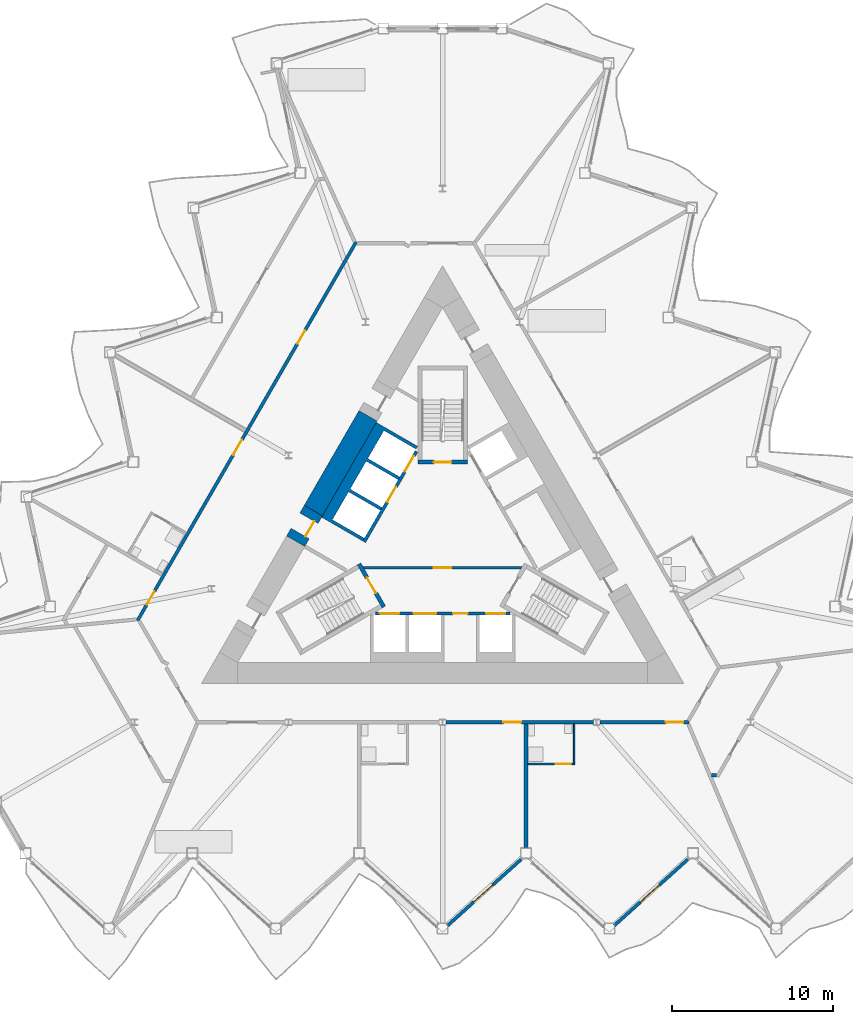
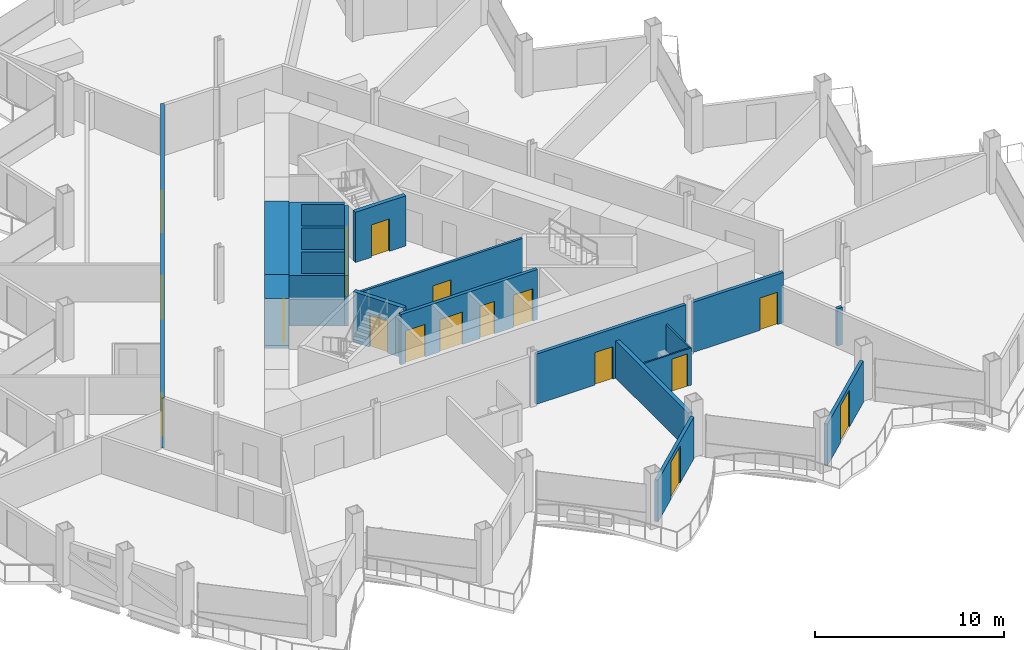
# One storey, part 12 of 23: 18 doors, 17 walls, 18 openings.
"""IFC4 building model written with IfcOpenShell, lengths in metres."""

from ifc_helpers import new_model, si_unit, direction, frame, frame_2d, origin, place, context, subcontext, project, spatial, polyline, rectangle, outline, extrude, material, layer, layer_set, type_object, element, fill, save


model = new_model("IFC4")

# Units and contexts
model_context = context("Model", 3, precision=1e-05, world=origin(), true_north=direction((0.0, 1.0)))
body_context = subcontext(model_context, "Body", "Model", "MODEL_VIEW")
ifc_project = project(units=[si_unit("LENGTHUNIT", "METRE"), si_unit("AREAUNIT", "SQUARE_METRE"), si_unit("VOLUMEUNIT", "CUBIC_METRE"), si_unit("PLANEANGLEUNIT", "RADIAN"), si_unit("MASSUNIT", "GRAM", prefix="KILO")], contexts=[model_context])

# Site, building, storey
site_placement = place(None, origin())
site = spatial("IfcSite", under=ifc_project, at=site_placement, CompositionType="ELEMENT")
building_placement = place(site_placement, origin())
building = spatial("IfcBuilding", under=site, at=building_placement, Name="Cormorant Prow Tower", CompositionType="ELEMENT")
storey_placement = place(building_placement, frame((0.0, 0.0, 263.39990234375)))
storey = spatial("IfcBuildingStorey", under=building, at=storey_placement, Name="L59", CompositionType="ELEMENT", Elevation=263.39990234375)

# Wall, opening, door
ifc_material_1 = material(Name="Gypsum board partition")
ifc_layer_1 = layer(ifc_material_1, 0.14990234375)
ifc_layer_set_1 = layer_set([ifc_layer_1], Name="Gypsum board partition")
wall_type_1 = type_object("IfcWallType", Name="Core partition 150", PredefinedType="PARTITIONING", material=ifc_layer_set_1)
wall_1_placement = place(storey_placement, frame((-4.941162109375, -1.449951171875, 0.0), z_axis=(0.0, 0.0, 1.0), x_axis=(1.0, 0.0, 0.0)))
wall_1 = element("IfcWall", 1, at=wall_1_placement, inside=storey, type_object=wall_type_1, Name="Firefighting lobby partition", PredefinedType="PARTITIONING", context=body_context, shape_type="SweptSolid", body=[
    extrude(rectangle(XDim=9.88232421875, YDim=0.14990234375, at=frame_2d((4.941162109375, 0.0))), origin(), (0.0, 0.0, 1.0), 3.25),
])
opening_1_placement = place(wall_1_placement, frame((4.39111328125, 0.0, 0.0)))
opening_1 = element("IfcOpeningElement", 2, at=opening_1_placement, cuts=wall_1, Name="Opening L59-C10", PredefinedType="OPENING", context=body_context, shape_type="SweptSolid", body=[
    extrude(rectangle(XDim=1.10009765625, YDim=2.10009765625, at=frame_2d((0.550048828125, 1.050048828125))), frame((0.0, 0.0849609375, 0.0), z_axis=(0.0, -1.0, 0.0), x_axis=(1.0, 0.0, 0.0)), (0.0, 0.0, 1.0), 0.169921875),
])
ifc_material_2 = material(Name="Painted steel", Category="steel")
door_type_1 = type_object("IfcDoorType", Name="Firefighting lobby door 1100x2100", OperationType="NOTDEFINED", PredefinedType="DOOR", material=ifc_material_2)
door_1_placement = place(opening_1_placement, origin())
door_1 = element("IfcDoor", 3, at=door_1_placement, inside=storey, type_object=door_type_1, Name="Firefighting lobby door", OperationType="SINGLE_SWING_LEFT", OverallHeight=2.10009765625, OverallWidth=1.10009765625, PredefinedType="DOOR", context=body_context, shape_type="SweptSolid", body=[
    extrude(rectangle(XDim=1.10009765625, YDim=2.10009765625, at=frame_2d((0.550048828125, 1.050048828125))), frame((0.0, 0.02490234375, 0.0), z_axis=(0.0, -1.0, 0.0), x_axis=(1.0, 0.0, 0.0)), (0.0, 0.0, 1.0), 0.050048828125),
])
fill(opening_1, door_1)

# Wall
ifc_material_3 = material(Name="Concrete 8000 psi", Category="concrete")
ifc_layer_2 = layer(ifc_material_3, 1.300048828125)
ifc_layer_set_2 = layer_set([ifc_layer_2], Name="Concrete 8000 psi")
wall_type_2 = type_object("IfcWallType", Name="Core shear wall 1300", PredefinedType="SHEAR", material=ifc_layer_set_2)
wall_2_placement = place(storey_placement, frame((-4.63623046875, 7.989990234375, 0.0), z_axis=(0.0, 0.0, 1.0), x_axis=(-0.500022813292, -0.866012232124, 0.0)))
element("IfcWall", 4, at=wall_2_placement, inside=storey, type_object=wall_type_2, Name="Core wall", PredefinedType="SHEAR", context=body_context, shape_type="SweptSolid", body=[
    extrude(rectangle(XDim=6.801513671875, YDim=1.300048828125, at=frame_2d((3.40087890625, 0.0))), origin(), (0.0, 0.0, 1.0), 3.25),
])

# Wall, opening, door
wall_3_placement = place(storey_placement, frame((-8.037109375, 2.099853515625, 0.0), z_axis=(0.0, 0.0, 1.0), x_axis=(-0.50002983664, -0.866008176907, 0.0)))
wall_3 = element("IfcWall", 5, at=wall_3_placement, inside=storey, type_object=wall_type_2, Name="Core wall door panel", PredefinedType="SHEAR", context=body_context, shape_type="SweptSolid", body=[
    extrude(rectangle(XDim=2.199951171875, YDim=1.300048828125, at=frame_2d((1.10009765625, 0.0))), origin(), (0.0, 0.0, 1.0), 3.25),
])
opening_2_placement = place(wall_3_placement, frame((0.550048828125, 0.0, 0.0)))
opening_2 = element("IfcOpeningElement", 6, at=opening_2_placement, cuts=wall_3, Name="Opening L59-C18", PredefinedType="OPENING", context=body_context, shape_type="SweptSolid", body=[
    extrude(rectangle(XDim=1.10009765625, YDim=2.10009765625, at=frame_2d((0.550048828125, 1.050048828125))), frame((0.0, 0.659912109375, 0.0), z_axis=(0.0, -1.0, 0.0), x_axis=(1.0, 0.0, 0.0)), (0.0, 0.0, 1.0), 1.320068359375),
])
ifc_material_4 = material(Name="Painted steel", Category="steel")
door_type_2 = type_object("IfcDoorType", Name="Core door 1100x2100", OperationType="NOTDEFINED", PredefinedType="DOOR", material=ifc_material_4)
door_2_placement = place(opening_2_placement, origin())
door_2 = element("IfcDoor", 7, at=door_2_placement, inside=storey, type_object=door_type_2, Name="Core door, lift lobby", OperationType="SINGLE_SWING_RIGHT", OverallHeight=2.10009765625, OverallWidth=1.10009765625, PredefinedType="DOOR", context=body_context, shape_type="SweptSolid", body=[
    extrude(rectangle(XDim=1.10009765625, YDim=2.10009765625, at=frame_2d((0.550048828125, 1.050048828125))), frame((0.0, 0.40478515625, 0.0), z_axis=(0.0, -1.0, 0.0), x_axis=(1.0, 0.0, 0.0)), (0.0, 0.0, 1.0), 0.050048828125),
])
fill(opening_2, door_2)

# Wall, openings, doors
ifc_material_5 = material(Name="Gypsum board corridor wall")
ifc_layer_3 = layer(ifc_material_5, 0.199951171875)
ifc_layer_set_3 = layer_set([ifc_layer_3], Name="Gypsum board corridor wall")
wall_type_3 = type_object("IfcWallType", Name="Corridor wall 200", PredefinedType="PARTITIONING", material=ifc_layer_set_3)
wall_4_placement = place(storey_placement, frame((-18.97607421875, -4.746826171875, 0.0), z_axis=(0.0, 0.0, 1.0), x_axis=(0.499999852422, 0.866025488988, 0.0)))
wall_4 = element("IfcWall", 8, at=wall_4_placement, inside=storey, type_object=wall_type_3, Name="Corridor wall", PredefinedType="PARTITIONING", context=body_context, shape_type="SweptSolid", body=[
    extrude(rectangle(XDim=27.19775390625, YDim=0.199951171875, at=frame_2d((13.598876953125, 0.0))), origin(), (0.0, 0.0, 1.0), 3.25),
])
opening_3_placement = place(wall_4_placement, frame((19.886474609375, 0.0, 0.0)))
opening_3 = element("IfcOpeningElement", 9, at=opening_3_placement, cuts=wall_4, Name="Opening L59-F14", PredefinedType="OPENING", context=body_context, shape_type="SweptSolid", body=[
    extrude(rectangle(XDim=0.949951171875, YDim=2.10009765625, at=frame_2d((0.47509765625, 1.050048828125))), frame((0.0, 0.10986328125, 0.0), z_axis=(0.0, -1.0, 0.0), x_axis=(1.0, 0.0, 0.0)), (0.0, 0.0, 1.0), 0.219970703125),
])
opening_4_placement = place(wall_4_placement, frame((11.89453125, 0.0, 0.0)))
opening_4 = element("IfcOpeningElement", 10, at=opening_4_placement, cuts=wall_4, Name="Opening L59-F16", PredefinedType="OPENING", context=body_context, shape_type="SweptSolid", body=[
    extrude(rectangle(XDim=1.10009765625, YDim=2.10009765625, at=frame_2d((0.550048828125, 1.050048828125))), frame((0.0, 0.10986328125, 0.0), z_axis=(0.0, -1.0, 0.0), x_axis=(1.0, 0.0, 0.0)), (0.0, 0.0, 1.0), 0.219970703125),
])
opening_5_placement = place(wall_4_placement, frame((1.151611328125, 0.0, 0.0)))
opening_5 = element("IfcOpeningElement", 11, at=opening_5_placement, cuts=wall_4, Name="Opening L59-F18", PredefinedType="OPENING", context=body_context, shape_type="SweptSolid", body=[
    extrude(rectangle(XDim=0.949951171875, YDim=2.10009765625, at=frame_2d((0.47509765625, 1.050048828125))), frame((0.0, 0.10986328125, 0.0), z_axis=(0.0, -1.0, 0.0), x_axis=(1.0, 0.0, 0.0)), (0.0, 0.0, 1.0), 0.219970703125),
])
ifc_material_6 = material(Name="Timber door leaf", Category="wood")
door_type_3 = type_object("IfcDoorType", Name="Store door 950x2100", OperationType="NOTDEFINED", PredefinedType="DOOR", material=ifc_material_6)
door_3_placement = place(opening_3_placement, origin())
door_3 = element("IfcDoor", 12, at=door_3_placement, inside=storey, type_object=door_type_3, Name="Housekeeping room door", OperationType="SINGLE_SWING_LEFT", OverallHeight=2.10009765625, OverallWidth=0.949951171875, PredefinedType="DOOR", context=body_context, shape_type="SweptSolid", body=[
    extrude(rectangle(XDim=0.949951171875, YDim=2.10009765625, at=frame_2d((0.47509765625, 1.050048828125))), frame((0.0, 0.02490234375, 0.0), z_axis=(0.0, -1.0, 0.0), x_axis=(1.0, 0.0, 0.0)), (0.0, 0.0, 1.0), 0.050048828125),
])
fill(opening_3, door_3)
door_4_placement = place(opening_5_placement, origin())
door_4 = element("IfcDoor", 13, at=door_4_placement, inside=storey, type_object=door_type_3, Name="Housekeeping room door", OperationType="SINGLE_SWING_RIGHT", OverallHeight=2.10009765625, OverallWidth=0.949951171875, PredefinedType="DOOR", context=body_context, shape_type="SweptSolid", body=[
    extrude(rectangle(XDim=0.949951171875, YDim=2.10009765625, at=frame_2d((0.47509765625, 1.050048828125))), frame((0.0, 0.02490234375, 0.0), z_axis=(0.0, -1.0, 0.0), x_axis=(1.0, 0.0, 0.0)), (0.0, 0.0, 1.0), 0.050048828125),
])
fill(opening_5, door_4)
ifc_material_7 = material(Name="Timber door leaf", Category="wood")
door_type_4 = type_object("IfcDoorType", Name="Suite entrance door 1100x2100", OperationType="NOTDEFINED", PredefinedType="DOOR", material=ifc_material_7)
door_5_placement = place(opening_4_placement, origin())
door_5 = element("IfcDoor", 14, at=door_5_placement, inside=storey, type_object=door_type_4, Name="Junior suite door", OperationType="SINGLE_SWING_RIGHT", OverallHeight=2.10009765625, OverallWidth=1.10009765625, PredefinedType="DOOR", context=body_context, shape_type="SweptSolid", body=[
    extrude(rectangle(XDim=1.10009765625, YDim=2.10009765625, at=frame_2d((0.550048828125, 1.050048828125))), frame((0.0, 0.02490234375, 0.0), z_axis=(0.0, -1.0, 0.0), x_axis=(1.0, 0.0, 0.0)), (0.0, 0.0, 1.0), 0.050048828125),
])
fill(opening_4, door_5)

# Wall, opening, door
wall_5_placement = place(storey_placement, frame((0.20947265625, -11.060302734375, 0.0), z_axis=(0.0, 0.0, 1.0), x_axis=(1.0, 0.0, 0.0)))
wall_5 = element("IfcWall", 15, at=wall_5_placement, inside=storey, type_object=wall_type_3, Name="Corridor wall", PredefinedType="PARTITIONING", context=body_context, shape_type="SweptSolid", body=[
    extrude(rectangle(XDim=9.159423828125, YDim=0.199951171875, at=frame_2d((4.57958984375, 0.0))), origin(), (0.0, 0.0, 1.0), 3.25),
])
opening_6_placement = place(wall_5_placement, frame((3.576171875, 0.0, 0.0)))
opening_6 = element("IfcOpeningElement", 16, at=opening_6_placement, cuts=wall_5, Name="Opening L59-F02", PredefinedType="OPENING", context=body_context, shape_type="SweptSolid", body=[
    extrude(rectangle(XDim=1.10009765625, YDim=2.10009765625, at=frame_2d((0.550048828125, 1.050048828125))), frame((0.0, 0.10986328125, 0.0), z_axis=(0.0, -1.0, 0.0), x_axis=(1.0, 0.0, 0.0)), (0.0, 0.0, 1.0), 0.219970703125),
])
door_6_placement = place(opening_6_placement, origin())
door_6 = element("IfcDoor", 17, at=door_6_placement, inside=storey, type_object=door_type_4, Name="Junior suite door", OperationType="SINGLE_SWING_RIGHT", OverallHeight=2.10009765625, OverallWidth=1.10009765625, PredefinedType="DOOR", context=body_context, shape_type="SweptSolid", body=[
    extrude(rectangle(XDim=1.10009765625, YDim=2.10009765625, at=frame_2d((0.550048828125, 1.050048828125))), frame((0.0, 0.02490234375, 0.0), z_axis=(0.0, -1.0, 0.0), x_axis=(1.0, 0.0, 0.0)), (0.0, 0.0, 1.0), 0.050048828125),
])
fill(opening_6, door_6)

wall_6_placement = place(storey_placement, frame((9.7880859375, -11.060302734375, 0.0), z_axis=(0.0, 0.0, 1.0), x_axis=(1.0, 0.0, 0.0)))
wall_6 = element("IfcWall", 18, at=wall_6_placement, inside=storey, type_object=wall_type_3, Name="Corridor wall", PredefinedType="PARTITIONING", context=body_context, shape_type="SweptSolid", body=[
    extrude(rectangle(XDim=5.542724609375, YDim=0.199951171875, at=frame_2d((2.771484375, 0.0))), origin(), (0.0, 0.0, 1.0), 3.25),
])
opening_7_placement = place(wall_6_placement, frame((4.091796875, 0.0, 0.0)))
opening_7 = element("IfcOpeningElement", 19, at=opening_7_placement, cuts=wall_6, Name="Opening L59-F04", PredefinedType="OPENING", context=body_context, shape_type="SweptSolid", body=[
    extrude(rectangle(XDim=1.10009765625, YDim=2.10009765625, at=frame_2d((0.550048828125, 1.050048828125))), frame((0.0, 0.10986328125, 0.0), z_axis=(0.0, -1.0, 0.0), x_axis=(1.0, 0.0, 0.0)), (0.0, 0.0, 1.0), 0.219970703125),
])
door_7_placement = place(opening_7_placement, origin())
door_7 = element("IfcDoor", 20, at=door_7_placement, inside=storey, type_object=door_type_4, Name="Executive suite bedroom door", OperationType="SINGLE_SWING_RIGHT", OverallHeight=2.10009765625, OverallWidth=1.10009765625, PredefinedType="DOOR", context=body_context, shape_type="SweptSolid", body=[
    extrude(rectangle(XDim=1.10009765625, YDim=2.10009765625, at=frame_2d((0.550048828125, 1.050048828125))), frame((0.0, 0.02490234375, 0.0), z_axis=(0.0, -1.0, 0.0), x_axis=(1.0, 0.0, 0.0)), (0.0, 0.0, 1.0), 0.050048828125),
])
fill(opening_7, door_7)

# Wall
ifc_material_8 = material(Name="Gypsum board demising wall")
ifc_layer_4 = layer(ifc_material_8, 0.199951171875)
ifc_layer_set_4 = layer_set([ifc_layer_4], Name="Gypsum board demising wall")
wall_type_4 = type_object("IfcWallType", Name="Demising wall 200", PredefinedType="PARTITIONING", material=ifc_layer_set_4)
wall_7_placement = place(storey_placement, frame((16.715087890625, -14.3603515625, 0.0), z_axis=(0.0, 0.0, 1.0), x_axis=(1.0, 0.0, 0.0)))
element("IfcWall", 21, at=wall_7_placement, inside=storey, type_object=wall_type_4, Name="Demising wall", PredefinedType="PARTITIONING", context=body_context, shape_type="SweptSolid", body=[
    extrude(rectangle(XDim=0.321044921875, YDim=0.199951171875, at=frame_2d((0.16064453125, 0.0))), origin(), (0.0, 0.0, 1.0), 2.404296875),
])

# Wall, opening, door
ifc_material_9 = material(Name="Gypsum board partition")
ifc_layer_5 = layer(ifc_material_9, 0.10009765625)
ifc_layer_set_5 = layer_set([ifc_layer_5], Name="Gypsum board partition")
wall_type_5 = type_object("IfcWallType", Name="Internal partition 100", PredefinedType="PARTITIONING", material=ifc_layer_set_5)
wall_8_placement = place(storey_placement, frame((5.3076171875, -13.660400390625, 0.0), z_axis=(0.0, 0.0, 1.0), x_axis=(1.0, 0.0, 0.0)))
wall_8 = element("IfcWall", 22, at=wall_8_placement, inside=storey, type_object=wall_type_5, Name="Internal partition", PredefinedType="PARTITIONING", context=body_context, shape_type="SweptSolid", body=[
    extrude(rectangle(XDim=2.925048828125, YDim=0.10009765625, at=frame_2d((1.46240234375, 0.0))), origin(), (0.0, 0.0, 1.0), 2.404296875),
])
opening_8_placement = place(wall_8_placement, frame((1.72509765625, 0.0, 0.0)))
opening_8 = element("IfcOpeningElement", 23, at=opening_8_placement, cuts=wall_8, Name="Opening L59-F05", PredefinedType="OPENING", context=body_context, shape_type="SweptSolid", body=[
    extrude(rectangle(XDim=0.949951171875, YDim=2.10009765625, at=frame_2d((0.47509765625, 1.050048828125))), frame((0.0, 0.06005859375, 0.0), z_axis=(0.0, -1.0, 0.0), x_axis=(1.0, 0.0, 0.0)), (0.0, 0.0, 1.0), 0.1201171875),
])
ifc_material_10 = material(Name="Timber door leaf", Category="wood")
door_type_5 = type_object("IfcDoorType", Name="Bathroom door 950x2100", OperationType="NOTDEFINED", PredefinedType="DOOR", material=ifc_material_10)
door_8_placement = place(opening_8_placement, origin())
door_8 = element("IfcDoor", 24, at=door_8_placement, inside=storey, type_object=door_type_5, Name="Executive suite bedroom door", OperationType="SINGLE_SWING_RIGHT", OverallHeight=2.10009765625, OverallWidth=0.949951171875, PredefinedType="DOOR", context=body_context, shape_type="SweptSolid", body=[
    extrude(rectangle(XDim=0.949951171875, YDim=2.10009765625, at=frame_2d((0.47509765625, 1.050048828125))), frame((0.0, 0.02490234375, 0.0), z_axis=(0.0, -1.0, 0.0), x_axis=(1.0, 0.0, 0.0)), (0.0, 0.0, 1.0), 0.050048828125),
])
fill(opening_8, door_8)

# Wall
wall_9_placement = place(storey_placement, frame((8.1826171875, -13.6103515625, 0.0), z_axis=(0.0, 0.0, 1.0), x_axis=(0.0, 1.0, 0.0)))
element("IfcWall", 25, at=wall_9_placement, inside=storey, type_object=wall_type_5, Name="Internal partition", PredefinedType="PARTITIONING", context=body_context, shape_type="SweptSolid", body=[
    extrude(rectangle(XDim=2.449951171875, YDim=0.10009765625, at=frame_2d((1.22509765625, 0.0))), origin(), (0.0, 0.0, 1.0), 2.404296875),
])

# Wall, openings, doors
ifc_material_11 = material(Name="Concrete 5000 psi", Category="concrete")
ifc_layer_6 = layer(ifc_material_11, 0.199951171875)
ifc_layer_set_6 = layer_set([ifc_layer_6], Name="Concrete 5000 psi")
wall_type_6 = type_object("IfcWallType", Name="Lift lobby wall 200", PredefinedType="SOLIDWALL", material=ifc_layer_set_6)
wall_10_placement = place(storey_placement, frame((-4.1865234375, -4.300048828125, 0.0), z_axis=(0.0, 0.0, 1.0), x_axis=(1.0, 0.0, 0.0)))
wall_10 = element("IfcWall", 26, at=wall_10_placement, inside=storey, type_object=wall_type_6, Name="Lift lobby wall, S block", PredefinedType="SOLIDWALL", context=body_context, shape_type="SweptSolid", body=[
    extrude(rectangle(XDim=8.373046875, YDim=0.199951171875, at=frame_2d((4.1865234375, 0.0))), origin(), (0.0, 0.0, 1.0), 3.25),
])
opening_9_placement = place(wall_10_placement, frame((0.28662109375, 0.0, 0.0)))
opening_9 = element("IfcOpeningElement", 27, at=opening_9_placement, cuts=wall_10, Name="Opening L59-C01", PredefinedType="OPENING", context=body_context, shape_type="SweptSolid", body=[
    extrude(rectangle(XDim=1.199951171875, YDim=2.10009765625, at=frame_2d((0.60009765625, 1.050048828125))), frame((0.0, 0.10986328125, 0.0), z_axis=(0.0, -1.0, 0.0), x_axis=(1.0, 0.0, 0.0)), (0.0, 0.0, 1.0), 0.219970703125),
])
opening_10_placement = place(wall_10_placement, frame((2.38671875, 0.0, 0.0)))
opening_10 = element("IfcOpeningElement", 28, at=opening_10_placement, cuts=wall_10, Name="Opening L59-C02", PredefinedType="OPENING", context=body_context, shape_type="SweptSolid", body=[
    extrude(rectangle(XDim=1.39990234375, YDim=2.10009765625, at=frame_2d((0.699951171875, 1.050048828125))), frame((0.0, 0.10986328125, 0.0), z_axis=(0.0, -1.0, 0.0), x_axis=(1.0, 0.0, 0.0)), (0.0, 0.0, 1.0), 0.219970703125),
])
opening_11_placement = place(wall_10_placement, frame((4.836669921875, 0.0, 0.0)))
opening_11 = element("IfcOpeningElement", 29, at=opening_11_placement, cuts=wall_10, Name="Opening L59-C03", PredefinedType="OPENING", context=body_context, shape_type="SweptSolid", body=[
    extrude(rectangle(XDim=0.89990234375, YDim=2.10009765625, at=frame_2d((0.449951171875, 1.050048828125))), frame((0.0, 0.10986328125, 0.0), z_axis=(0.0, -1.0, 0.0), x_axis=(1.0, 0.0, 0.0)), (0.0, 0.0, 1.0), 0.219970703125),
])
opening_12_placement = place(wall_10_placement, frame((6.88671875, 0.0, 0.0)))
opening_12 = element("IfcOpeningElement", 30, at=opening_12_placement, cuts=wall_10, Name="Opening L59-C04", PredefinedType="OPENING", context=body_context, shape_type="SweptSolid", body=[
    extrude(rectangle(XDim=1.199951171875, YDim=2.10009765625, at=frame_2d((0.60009765625, 1.050048828125))), frame((0.0, 0.10986328125, 0.0), z_axis=(0.0, -1.0, 0.0), x_axis=(1.0, 0.0, 0.0)), (0.0, 0.0, 1.0), 0.219970703125),
])
ifc_material_12 = material(Name="Painted steel", Category="steel")
door_type_6 = type_object("IfcDoorType", Name="Firefighting lift landing door 1200x2100", OperationType="SLIDING_TO_LEFT", PredefinedType="DOOR", material=ifc_material_12)
door_9_placement = place(opening_9_placement, origin())
door_9 = element("IfcDoor", 31, at=door_9_placement, inside=storey, type_object=door_type_6, Name="Landing door FL1", OperationType="SLIDING_TO_LEFT", OverallHeight=2.10009765625, OverallWidth=1.199951171875, PredefinedType="DOOR", context=body_context, shape_type="SweptSolid", body=[
    extrude(rectangle(XDim=1.199951171875, YDim=2.10009765625, at=frame_2d((0.60009765625, 1.050048828125))), frame((0.0, 0.02490234375, 0.0), z_axis=(0.0, -1.0, 0.0), x_axis=(1.0, 0.0, 0.0)), (0.0, 0.0, 1.0), 0.050048828125),
])
fill(opening_9, door_9)
door_10_placement = place(opening_12_placement, origin())
door_10 = element("IfcDoor", 32, at=door_10_placement, inside=storey, type_object=door_type_6, Name="Landing door FL2", OperationType="SLIDING_TO_LEFT", OverallHeight=2.10009765625, OverallWidth=1.199951171875, PredefinedType="DOOR", context=body_context, shape_type="SweptSolid", body=[
    extrude(rectangle(XDim=1.199951171875, YDim=2.10009765625, at=frame_2d((0.60009765625, 1.050048828125))), frame((0.0, 0.02490234375, 0.0), z_axis=(0.0, -1.0, 0.0), x_axis=(1.0, 0.0, 0.0)), (0.0, 0.0, 1.0), 0.050048828125),
])
fill(opening_12, door_10)
ifc_material_13 = material(Name="Painted steel", Category="steel")
door_type_7 = type_object("IfcDoorType", Name="Service door 900x2100", OperationType="NOTDEFINED", PredefinedType="DOOR", material=ifc_material_13)
door_11_placement = place(opening_11_placement, origin())
door_11 = element("IfcDoor", 33, at=door_11_placement, inside=storey, type_object=door_type_7, Name="Service door, Pantry store", OperationType="SINGLE_SWING_RIGHT", OverallHeight=2.10009765625, OverallWidth=0.89990234375, PredefinedType="DOOR", context=body_context, shape_type="SweptSolid", body=[
    extrude(rectangle(XDim=0.89990234375, YDim=2.10009765625, at=frame_2d((0.449951171875, 1.050048828125))), frame((0.0, 0.02490234375, 0.0), z_axis=(0.0, -1.0, 0.0), x_axis=(1.0, 0.0, 0.0)), (0.0, 0.0, 1.0), 0.050048828125),
])
fill(opening_11, door_11)
ifc_material_14 = material(Name="Painted steel", Category="steel")
door_type_8 = type_object("IfcDoorType", Name="Service lift landing door 1400x2100", OperationType="SLIDING_TO_LEFT", PredefinedType="DOOR", material=ifc_material_14)
door_12_placement = place(opening_10_placement, origin())
door_12 = element("IfcDoor", 34, at=door_12_placement, inside=storey, type_object=door_type_8, Name="Landing door SL1", OperationType="SLIDING_TO_LEFT", OverallHeight=2.10009765625, OverallWidth=1.39990234375, PredefinedType="DOOR", context=body_context, shape_type="SweptSolid", body=[
    extrude(rectangle(XDim=1.39990234375, YDim=2.10009765625, at=frame_2d((0.699951171875, 1.050048828125))), frame((0.0, 0.02490234375, 0.0), z_axis=(0.0, -1.0, 0.0), x_axis=(1.0, 0.0, 0.0)), (0.0, 0.0, 1.0), 0.050048828125),
])
fill(opening_10, door_12)

wall_11_placement = place(storey_placement, frame((-1.630615234375, 5.775634765625, 0.0), z_axis=(0.0, 0.0, 1.0), x_axis=(-0.499992876559, -0.866029516466, 0.0)))
wall_11 = element("IfcWall", 35, at=wall_11_placement, inside=storey, type_object=wall_type_6, Name="Lift lobby wall, WNW block", PredefinedType="SOLIDWALL", context=body_context, shape_type="SweptSolid", body=[
    extrude(rectangle(XDim=6.486328125, YDim=0.199951171875, at=frame_2d((3.2431640625, 0.0))), origin(), (0.0, 0.0, 1.0), 3.25),
])
opening_13_placement = place(wall_11_placement, frame((0.336669921875, 0.0, 0.0)))
opening_13 = element("IfcOpeningElement", 36, at=opening_13_placement, cuts=wall_11, Name="Opening L59-C08", PredefinedType="OPENING", context=body_context, shape_type="SweptSolid", body=[
    extrude(rectangle(XDim=1.10009765625, YDim=2.10009765625, at=frame_2d((0.550048828125, 1.050048828125))), frame((0.0, 0.10986328125, 0.0), z_axis=(0.0, -1.0, 0.0), x_axis=(1.0, 0.0, 0.0)), (0.0, 0.0, 1.0), 0.219970703125),
])
opening_14_placement = place(wall_11_placement, frame((2.53662109375, 0.0, 0.0)))
opening_14 = element("IfcOpeningElement", 37, at=opening_14_placement, cuts=wall_11, Name="Opening L59-C09", PredefinedType="OPENING", context=body_context, shape_type="SweptSolid", body=[
    extrude(rectangle(XDim=1.10009765625, YDim=2.10009765625, at=frame_2d((0.550048828125, 1.050048828125))), frame((0.0, 0.10986328125, 0.0), z_axis=(0.0, -1.0, 0.0), x_axis=(1.0, 0.0, 0.0)), (0.0, 0.0, 1.0), 0.219970703125),
])
ifc_material_15 = material(Name="Painted steel", Category="steel")
door_type_9 = type_object("IfcDoorType", Name="Lift landing door 1100x2100", OperationType="SLIDING_TO_LEFT", PredefinedType="DOOR", material=ifc_material_15)
door_13_placement = place(opening_13_placement, origin())
door_13 = element("IfcDoor", 38, at=door_13_placement, inside=storey, type_object=door_type_9, Name="Landing door MR2", OperationType="SLIDING_TO_LEFT", OverallHeight=2.10009765625, OverallWidth=1.10009765625, PredefinedType="DOOR", context=body_context, shape_type="SweptSolid", body=[
    extrude(rectangle(XDim=1.10009765625, YDim=2.10009765625, at=frame_2d((0.550048828125, 1.050048828125))), frame((0.0, 0.02490234375, 0.0), z_axis=(0.0, -1.0, 0.0), x_axis=(1.0, 0.0, 0.0)), (0.0, 0.0, 1.0), 0.050048828125),
])
fill(opening_13, door_13)
door_14_placement = place(opening_14_placement, origin())
door_14 = element("IfcDoor", 39, at=door_14_placement, inside=storey, type_object=door_type_9, Name="Landing door MR3", OperationType="SLIDING_TO_LEFT", OverallHeight=2.10009765625, OverallWidth=1.10009765625, PredefinedType="DOOR", context=body_context, shape_type="SweptSolid", body=[
    extrude(rectangle(XDim=1.10009765625, YDim=2.10009765625, at=frame_2d((0.550048828125, 1.050048828125))), frame((0.0, 0.02490234375, 0.0), z_axis=(0.0, -1.0, 0.0), x_axis=(1.0, 0.0, 0.0)), (0.0, 0.0, 1.0), 0.050048828125),
])
fill(opening_14, door_14)

# Wall
ifc_material_16 = material(Name="Concrete 8000 psi", Category="concrete")
ifc_layer_7 = layer(ifc_material_16, 0.199951171875)
ifc_layer_set_7 = layer_set([ifc_layer_7], Name="Concrete 8000 psi")
wall_type_7 = type_object("IfcWallType", Name="Lift shaft wall 200", PredefinedType="SHEAR", material=ifc_layer_set_7)
wall_12_placement = place(storey_placement, origin())
element("IfcWall", 40, at=wall_12_placement, inside=storey, type_object=wall_type_7, Name="Lift shaft walls, WNW block", PredefinedType="SHEAR", context=body_context, shape_type="SweptSolid", body=[
    extrude(outline(polyline([(-7.524169921875, 1.688232421875), (-4.124267578125, 7.5771484375), (-3.730712890625, 7.35009765625), (-1.560546875, 6.09716796875), (-1.660400390625, 5.923828125), (-3.65234375, 7.073974609375), (-4.65234375, 5.341796875), (-2.660400390625, 4.19189453125), (-2.760498046875, 4.018798828125), (-4.75244140625, 5.168701171875), (-5.75244140625, 3.4365234375), (-3.760498046875, 2.28662109375), (-3.860595703125, 2.11328125), (-5.852294921875, 3.263427734375), (-6.852294921875, 1.53125), (-4.860595703125, 0.38134765625), (-4.96044921875, 0.2080078125), (-7.130859375, 1.461181640625), (-7.524169921875, 1.688232421875)])), origin(), (0.0, 0.0, 1.0), 3.25),
])

# Wall, opening, door
ifc_material_17 = material(Name="Concrete 8000 psi", Category="concrete")
ifc_layer_8 = layer(ifc_material_17, 0.25)
ifc_layer_set_8 = layer_set([ifc_layer_8], Name="Concrete 8000 psi")
wall_type_8 = type_object("IfcWallType", Name="Stair wall 250", PredefinedType="SHEAR", material=ifc_layer_set_8)
wall_13_placement = place(storey_placement, frame((-5.198974609375, -1.21875, 0.0), z_axis=(0.0, 0.0, 1.0), x_axis=(0.499982516597, -0.866035497597, 0.0)))
wall_13 = element("IfcWall", 41, at=wall_13_placement, inside=storey, type_object=wall_type_8, Name="Stair ST1 door wall", PredefinedType="SHEAR", context=body_context, shape_type="SweptSolid", body=[
    extrude(rectangle(XDim=3.087890625, YDim=0.25, at=frame_2d((1.5439453125, 0.0))), origin(), (0.0, 0.0, 1.0), 3.25),
])
opening_15_placement = place(wall_13_placement, frame((0.993896484375, 0.0, 0.0)))
opening_15 = element("IfcOpeningElement", 42, at=opening_15_placement, cuts=wall_13, Name="Opening L59-C11", PredefinedType="OPENING", context=body_context, shape_type="SweptSolid", body=[
    extrude(rectangle(XDim=1.10009765625, YDim=2.10009765625, at=frame_2d((0.550048828125, 1.050048828125))), frame((0.0, 0.135009765625, 0.0), z_axis=(0.0, -1.0, 0.0), x_axis=(1.0, 0.0, 0.0)), (0.0, 0.0, 1.0), 0.27001953125),
])
ifc_material_18 = material(Name="Painted steel", Category="steel")
door_type_10 = type_object("IfcDoorType", Name="Stair door 1100x2100", OperationType="NOTDEFINED", PredefinedType="DOOR", material=ifc_material_18)
door_15_placement = place(opening_15_placement, origin())
door_15 = element("IfcDoor", 43, at=door_15_placement, inside=storey, type_object=door_type_10, Name="Stair ST1 door", OperationType="SINGLE_SWING_LEFT", OverallHeight=2.10009765625, OverallWidth=1.10009765625, PredefinedType="DOOR", context=body_context, shape_type="SweptSolid", body=[
    extrude(rectangle(XDim=1.10009765625, YDim=2.10009765625, at=frame_2d((0.550048828125, 1.050048828125))), frame((0.0, 0.02490234375, 0.0), z_axis=(0.0, -1.0, 0.0), x_axis=(1.0, 0.0, 0.0)), (0.0, 0.0, 1.0), 0.050048828125),
])
fill(opening_15, door_15)

wall_14_placement = place(storey_placement, frame((1.5439453125, 5.11181640625, 0.0), z_axis=(0.0, 0.0, 1.0), x_axis=(-1.0, 0.0, 0.0)))
wall_14 = element("IfcWall", 44, at=wall_14_placement, inside=storey, type_object=wall_type_8, Name="Stair ST3 door wall", PredefinedType="SHEAR", context=body_context, shape_type="SweptSolid", body=[
    extrude(rectangle(XDim=3.087890625, YDim=0.25, at=frame_2d((1.5439453125, 0.0))), origin(), (0.0, 0.0, 1.0), 3.25),
])
opening_16_placement = place(wall_14_placement, frame((0.993896484375, 0.0, 0.0)))
opening_16 = element("IfcOpeningElement", 45, at=opening_16_placement, cuts=wall_14, Name="Opening L59-C13", PredefinedType="OPENING", context=body_context, shape_type="SweptSolid", body=[
    extrude(rectangle(XDim=1.10009765625, YDim=2.10009765625, at=frame_2d((0.550048828125, 1.050048828125))), frame((0.0, 0.135009765625, 0.0), z_axis=(0.0, -1.0, 0.0), x_axis=(1.0, 0.0, 0.0)), (0.0, 0.0, 1.0), 0.27001953125),
])
door_16_placement = place(opening_16_placement, origin())
door_16 = element("IfcDoor", 46, at=door_16_placement, inside=storey, type_object=door_type_10, Name="Stair ST3 door", OperationType="SINGLE_SWING_LEFT", OverallHeight=2.10009765625, OverallWidth=1.10009765625, PredefinedType="DOOR", context=body_context, shape_type="SweptSolid", body=[
    extrude(rectangle(XDim=1.10009765625, YDim=2.10009765625, at=frame_2d((0.550048828125, 1.050048828125))), frame((0.0, 0.02490234375, 0.0), z_axis=(0.0, -1.0, 0.0), x_axis=(1.0, 0.0, 0.0)), (0.0, 0.0, 1.0), 0.050048828125),
])
fill(opening_16, door_16)

# Wall
ifc_material_19 = material(Name="Acoustic gypsum party wall")
ifc_layer_9 = layer(ifc_material_19, 0.25)
ifc_layer_set_9 = layer_set([ifc_layer_9], Name="Acoustic gypsum party wall")
wall_type_9 = type_object("IfcWallType", Name="Suite party wall 250", PredefinedType="PARTITIONING", material=ifc_layer_set_9)
wall_15_placement = place(storey_placement, frame((5.1826171875, -18.85546875, 0.0), z_axis=(0.0, 0.0, 1.0), x_axis=(0.0, 1.0, 0.0)))
element("IfcWall", 47, at=wall_15_placement, inside=storey, type_object=wall_type_9, Name="Suite party wall", PredefinedType="PARTITIONING", context=body_context, shape_type="SweptSolid", body=[
    extrude(rectangle(XDim=7.695068359375, YDim=0.25, at=frame_2d((3.84765625, 0.0))), origin(), (0.0, 0.0, 1.0), 2.404296875),
])

# Wall, opening, door
ifc_material_20 = material(Name="Terracotta", Category="masonry")
ifc_layer_10 = layer(ifc_material_20, 0.199951171875)
ifc_layer_set_10 = layer_set([ifc_layer_10], Name="Terracotta")
wall_type_10 = type_object("IfcWallType", Name="Terracotta jamb wall 200", PredefinedType="SOLIDWALL", material=ifc_layer_set_10)
wall_16_placement = place(storey_placement, frame((0.305419921875, -23.713134765625, 0.0), z_axis=(0.0, 0.0, 1.0), x_axis=(0.74316789204, 0.669104987458, 0.0)))
wall_16 = element("IfcWall", 48, at=wall_16_placement, inside=storey, type_object=wall_type_10, Name="Terracotta jamb wall S05", PredefinedType="SOLIDWALL", context=body_context, shape_type="SweptSolid", body=[
    extrude(rectangle(XDim=6.154296875, YDim=0.199951171875, at=frame_2d((3.0771484375, 0.0))), origin(), (0.0, 0.0, 1.0), 2.700927734375),
])
opening_17_placement = place(wall_16_placement, frame((2.18603515625, 0.0, 0.0)))
opening_17 = element("IfcOpeningElement", 49, at=opening_17_placement, cuts=wall_16, Name="Opening ED59.03", PredefinedType="OPENING", context=body_context, shape_type="SweptSolid", body=[
    extrude(rectangle(XDim=1.60009765625, YDim=2.39990234375, at=frame_2d((0.800048828125, 1.199951171875))), frame((0.0, 0.10986328125, 0.0), z_axis=(0.0, -1.0, 0.0), x_axis=(1.0, 0.0, 0.0)), (0.0, 0.0, 1.0), 0.219970703125),
])
ifc_material_21 = material(Name="Aluminium 6063-T6", Category="aluminium")
door_type_11 = type_object("IfcDoorType", Name="Balcony door 1600x2400", OperationType="DOUBLE_DOOR_SINGLE_SWING", PredefinedType="DOOR", material=ifc_material_21)
door_17_placement = place(opening_17_placement, origin())
door_17 = element("IfcDoor", 50, at=door_17_placement, inside=storey, type_object=door_type_11, Name="Balcony door S05 ED59.03", OperationType="DOUBLE_DOOR_SINGLE_SWING", OverallHeight=2.39990234375, OverallWidth=1.60009765625, PredefinedType="DOOR", context=body_context, shape_type="SweptSolid", body=[
    extrude(rectangle(XDim=1.60009765625, YDim=2.39990234375, at=frame_2d((0.800048828125, 1.199951171875))), frame((0.0, 0.02490234375, 0.0), z_axis=(0.0, -1.0, 0.0), x_axis=(1.0, 0.0, 0.0)), (0.0, 0.0, 1.0), 0.050048828125),
])
fill(opening_17, door_17)

wall_17_placement = place(storey_placement, frame((10.670654296875, -23.713134765625, 0.0), z_axis=(0.0, 0.0, 1.0), x_axis=(0.74316789204, 0.669104987458, 0.0)))
wall_17 = element("IfcWall", 51, at=wall_17_placement, inside=storey, type_object=wall_type_10, Name="Terracotta jamb wall S07", PredefinedType="SOLIDWALL", context=body_context, shape_type="SweptSolid", body=[
    extrude(rectangle(XDim=6.154296875, YDim=0.199951171875, at=frame_2d((3.0771484375, 0.0))), origin(), (0.0, 0.0, 1.0), 2.700927734375),
])
opening_18_placement = place(wall_17_placement, frame((2.18603515625, 0.0, 0.0)))
opening_18 = element("IfcOpeningElement", 52, at=opening_18_placement, cuts=wall_17, Name="Opening ED59.04", PredefinedType="OPENING", context=body_context, shape_type="SweptSolid", body=[
    extrude(rectangle(XDim=1.60009765625, YDim=2.39990234375, at=frame_2d((0.800048828125, 1.199951171875))), frame((0.0, 0.10986328125, 0.0), z_axis=(0.0, -1.0, 0.0), x_axis=(1.0, 0.0, 0.0)), (0.0, 0.0, 1.0), 0.219970703125),
])
door_18_placement = place(opening_18_placement, origin())
door_18 = element("IfcDoor", 53, at=door_18_placement, inside=storey, type_object=door_type_11, Name="Balcony door S07 ED59.04", OperationType="DOUBLE_DOOR_SINGLE_SWING", OverallHeight=2.39990234375, OverallWidth=1.60009765625, PredefinedType="DOOR", context=body_context, shape_type="SweptSolid", body=[
    extrude(rectangle(XDim=1.60009765625, YDim=2.39990234375, at=frame_2d((0.800048828125, 1.199951171875))), frame((0.0, 0.02490234375, 0.0), z_axis=(0.0, -1.0, 0.0), x_axis=(1.0, 0.0, 0.0)), (0.0, 0.0, 1.0), 0.050048828125),
])
fill(opening_18, door_18)

save(model, "model.ifc")
